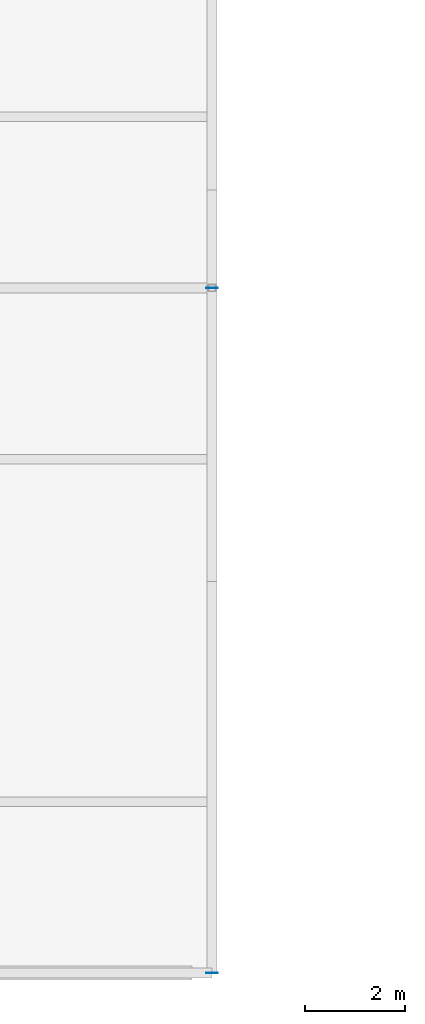
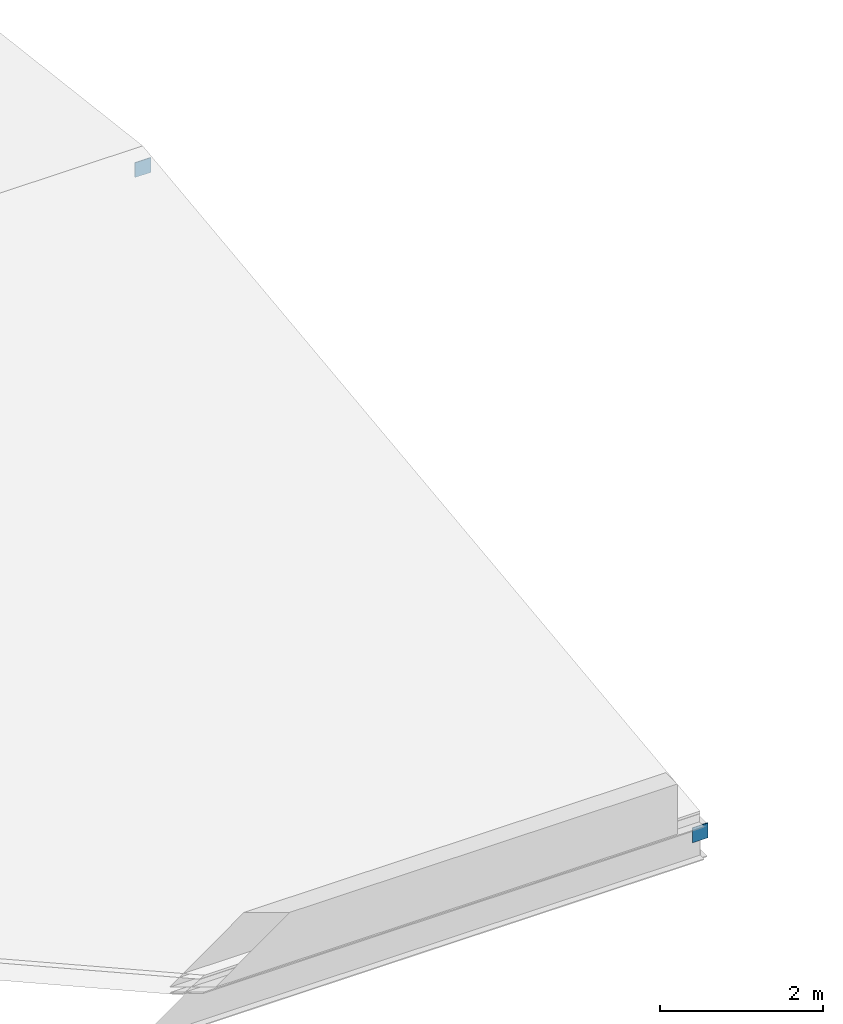
# One storey, part 13 of 21: 2 plates.
"""IFC4 building model written with IfcOpenShell, lengths in metres."""

from ifc_helpers import new_model, si_unit, direction, frame, origin, origin_2d, place, context, subcontext, project, spatial, rectangle, extrude, material, layer, layer_set, type_object, element, save


model = new_model("IFC4")

# Units and contexts
model_context = context("Model", 3, precision=1e-05, world=origin(), true_north=direction((0.0, 1.0)))
body_context = subcontext(model_context, "Body", "Model", "MODEL_VIEW")
ifc_project = project(units=[si_unit("LENGTHUNIT", "METRE"), si_unit("AREAUNIT", "SQUARE_METRE"), si_unit("VOLUMEUNIT", "CUBIC_METRE"), si_unit("PLANEANGLEUNIT", "RADIAN"), si_unit("MASSUNIT", "GRAM", prefix="KILO")], contexts=[model_context])

# Site, building, storey
site_placement = place(None, origin())
site = spatial("IfcSite", under=ifc_project, at=site_placement, CompositionType="ELEMENT")
building_placement = place(site_placement, origin())
building = spatial("IfcBuilding", under=site, at=building_placement, Name="Celorna Specialist Clinic", CompositionType="ELEMENT")
storey_placement = place(building_placement, frame((0.0, 0.0, 23.10009765625)))
storey = spatial("IfcBuildingStorey", under=building, at=storey_placement, Name="L05", CompositionType="ELEMENT", Elevation=23.10009765625)

# Plates
ifc_material = material(Name="Steel S355", Category="steel")
ifc_layer = layer(ifc_material, 0.01611328125, Name="Steel S355")
ifc_layer_set = layer_set([ifc_layer], Name="Steel S355")
plate_type = type_object("IfcPlateType", Name="EP-04", PredefinedType="SHEET", material=ifc_layer_set)
for number, where, z_axis, x_axis, name in (
    (1, (31.199951171875, 0.0, -0.31201171875), (0.0, 0.0, 1.0), (1.0, 0.0, 0.0), "Rafter chord cap plate ROOF-V5-SOUTH"),
    (2, (31.199951171875, 13.64990234375, 1.35791015625), (0.0, 0.0, 1.0), (1.0, 0.0, 0.0), "Rafter chord cap plate ROOF-V5-SOUTH"),
):
    element("IfcPlate", number, at=place(storey_placement, frame(where, z_axis=z_axis, x_axis=x_axis)), inside=storey, type_object=plate_type, Name=name, PredefinedType="SHEET", context=body_context, shape_type="SweptSolid", body=[
        extrude(rectangle(XDim=0.219970703125, YDim=0.013916015625, at=origin_2d()), origin(), (0.0, 0.0, 1.0), 0.219970703125),
    ])

save(model, "model.ifc")
